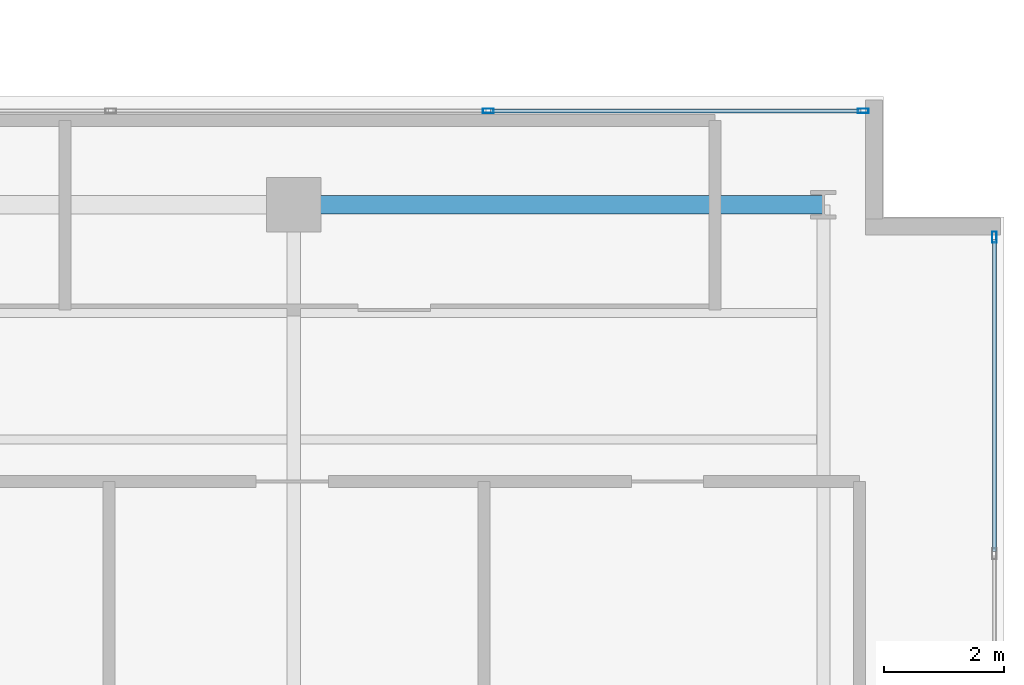
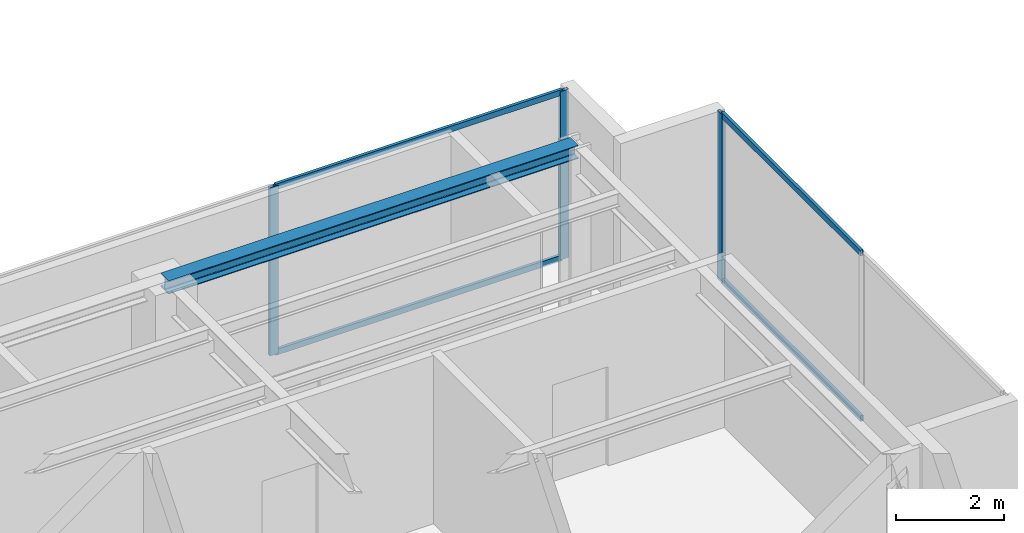
# One storey, part 15 of 24: 7 members, 1 beam, 2 elements without a shape of their own.
"""IFC4 building model written with IfcOpenShell, lengths in metres."""

from ifc_helpers import new_model, si_unit, direction, frame, origin, origin_with_axes, origin_2d, place, context, subcontext, project, spatial, hollow_rectangle, i_section, extrude, source, transform, mapped, material, layer, layer_set, material_profile, profile_set, type_object, element, aggregate, save


model = new_model("IFC4")

# Units and contexts
model_context = context("Model", 3, precision=1e-05, world=origin(), true_north=direction((0.0, 1.0)))
body_context = subcontext(model_context, "Body", "Model", "MODEL_VIEW")
ifc_project = project(units=[si_unit("LENGTHUNIT", "METRE"), si_unit("AREAUNIT", "SQUARE_METRE"), si_unit("VOLUMEUNIT", "CUBIC_METRE"), si_unit("PLANEANGLEUNIT", "RADIAN"), si_unit("MASSUNIT", "GRAM", prefix="KILO")], contexts=[model_context])

# Site, building, storey
site_placement = place(None, origin())
site = spatial("IfcSite", under=ifc_project, at=site_placement, CompositionType="ELEMENT")
building_placement = place(site_placement, origin())
building = spatial("IfcBuilding", under=site, at=building_placement, Name="Kolvaren Waterfront Exchange", CompositionType="ELEMENT")
storey_placement = place(building_placement, frame((0.0, 0.0, 356.199951171875)))
storey = spatial("IfcBuildingStorey", under=building, at=storey_placement, Name="L91", CompositionType="ELEMENT", Elevation=356.199951171875)

# Beam
ifc_material_1 = material(Name="Steel S355", Category="steel")
ifc_material_profile_1 = material_profile(ifc_material_1, i_section(OverallWidth=0.300048828125, OverallDepth=0.300048828125, WebThickness=0.010986328125, FlangeThickness=0.01904296875, FilletRadius=0.027099609375, at=origin_2d()), Name="HEB300")
ifc_profile_set_1 = profile_set([ifc_material_profile_1], Name="Steel S355")
beam_type = type_object("IfcBeamType", Name="STR-BM-HEB300", PredefinedType="SPANDREL", material=ifc_profile_set_1)
beam_placement = place(storey_placement, frame((36.800048828125, 17.39990234375, 3.670166015625), z_axis=(1.0, 0.0, 0.0), x_axis=(0.0, 1.0, 0.0)))
element("IfcBeam", 1, at=beam_placement, inside=storey, type_object=beam_type, Name="L91 east-arm spandrel N3", PredefinedType="SPANDREL", context=body_context, shape_type="SweptSolid", body=[
    extrude(i_section(OverallWidth=0.300048828125, OverallDepth=0.300048828125, WebThickness=0.010986328125, FlangeThickness=0.01904296875, FilletRadius=0.027099609375, at=origin_2d()), origin(), (0.0, 0.0, 1.0), 8.800048828125),
])

# Curtain wall, members
ifc_material_2 = material(Name="Anodised dark bronze spandrel aluminium", Category="aluminium")
ifc_layer = layer(ifc_material_2, 0.219970703125, Name="Anodised dark bronze spandrel aluminium")
ifc_layer_set = layer_set([ifc_layer], Name="Anodised dark bronze spandrel aluminium")
curtain_wall_type = type_object("IfcCurtainWallType", Name="ARC-CW-SYS6", PredefinedType="USERDEFINED", material=ifc_layer_set)
curtain_wall_1_placement = place(storey_placement, origin())
curtain_wall_1 = element("IfcCurtainWall", 2, at=curtain_wall_1_placement, inside=storey, type_object=curtain_wall_type, Name="L91 stick curtain wall CW6 (CW-L91-EN)", ObjectType="STICK CURTAIN WALL", PredefinedType="USERDEFINED")
ifc_material_3 = material(Name="Anodised bronze aluminium 6063-T6", Category="aluminium")
ifc_material_profile_2 = material_profile(ifc_material_3, hollow_rectangle(XDim=0.074951171875, YDim=0.179931640625, WallThickness=0.00439453125, at=origin_2d()), Name="ALU-MUL-180x75x4.5")
ifc_profile_set_2 = profile_set([ifc_material_profile_2], Name="Anodised bronze aluminium 6063-T6")
member_type_1 = type_object("IfcMemberType", Name="ARC-CWM-180", PredefinedType="MULLION", material=ifc_profile_set_2)
shared_shape_1 = source(origin_with_axes(), body_context, "Body", "SweptSolid", [
    extrude(hollow_rectangle(XDim=0.074951171875, YDim=0.179931640625, WallThickness=0.00439453125, at=origin_2d()), origin(), (0.0, 0.0, 1.0), 3.820068359375),
])
member_1_placement = place(storey_placement, frame((40.030029296875, 18.9599609375, 0.0), z_axis=(0.0, 0.0, 1.0), x_axis=(0.0, 1.0, 0.0)))
member_1 = element("IfcMember", 3, at=member_1_placement, type_object=member_type_1, Name="CW6 mullion 3", PredefinedType="MULLION", context=body_context, shape_type="MappedRepresentation", body=[
    mapped(shared_shape_1, transform((0.0, 0.0, 0.0), x_axis=(1.0, 0.0, 0.0), y_axis=(0.0, 1.0, 0.0), z_axis=(0.0, 0.0, 1.0), scale=1.0)),
])
member_2_placement = place(storey_placement, frame((46.262451171875, 18.9599609375, 0.0), z_axis=(0.0, 0.0, 1.0), x_axis=(0.0, 1.0, 0.0)))
member_2 = element("IfcMember", 4, at=member_2_placement, type_object=member_type_1, Name="CW6 mullion 4", PredefinedType="MULLION", context=body_context, shape_type="MappedRepresentation", body=[
    mapped(shared_shape_1, transform((0.0, 0.0, 0.0), x_axis=(1.0, 0.0, 0.0), y_axis=(0.0, 1.0, 0.0), z_axis=(0.0, 0.0, 1.0), scale=1.0)),
])

# Curtain wall, member
curtain_wall_2_placement = place(storey_placement, origin())
curtain_wall_2 = element("IfcCurtainWall", 5, at=curtain_wall_2_placement, inside=storey, type_object=curtain_wall_type, Name="L91 stick curtain wall CW6 (CW-L91-ET)", ObjectType="STICK CURTAIN WALL", PredefinedType="USERDEFINED")
member_3_placement = place(storey_placement, frame((48.43994140625, 16.862548828125, 0.0), z_axis=(0.0, 0.0, 1.0), x_axis=(-1.0, 0.0, 0.0)))
member_3 = element("IfcMember", 6, at=member_3_placement, type_object=member_type_1, Name="CW6 mullion 3", PredefinedType="MULLION", context=body_context, shape_type="MappedRepresentation", body=[
    mapped(shared_shape_1, transform((0.0, 0.0, 0.0), x_axis=(1.0, 0.0, 0.0), y_axis=(0.0, 1.0, 0.0), z_axis=(0.0, 0.0, 1.0), scale=1.0)),
])

# Member
ifc_material_profile_3 = material_profile(ifc_material_3, hollow_rectangle(XDim=0.06494140625, YDim=0.1298828125, WallThickness=0.00390625, at=origin_2d()), Name="ALU-TRN-130x65x4")
ifc_profile_set_3 = profile_set([ifc_material_profile_3], Name="Anodised bronze aluminium 6063-T6")
member_type_2 = type_object("IfcMemberType", Name="ARC-CWT-130", PredefinedType="USERDEFINED", material=ifc_profile_set_3)
shared_shape_2 = source(origin_with_axes(), body_context, "Body", "SweptSolid", [
    extrude(hollow_rectangle(XDim=0.06494140625, YDim=0.1298828125, WallThickness=0.00390625, at=origin_2d()), origin(), (0.0, 0.0, 1.0), 6.15771484375),
])
member_4_placement = place(storey_placement, frame((40.0673828125, 18.9599609375, 0.032470703125), z_axis=(1.0, 0.0, 0.0), x_axis=(0.0, 1.0, 0.0)))
member_4 = element("IfcMember", 7, at=member_4_placement, type_object=member_type_2, Name="CW6 transom 3.1", ObjectType="TRANSOM", PredefinedType="USERDEFINED", context=body_context, shape_type="MappedRepresentation", body=[
    mapped(shared_shape_2, transform((0.0, 0.0, 0.0), x_axis=(1.0, 0.0, 0.0), y_axis=(0.0, 1.0, 0.0), z_axis=(0.0, 0.0, 1.0), scale=1.0)),
])

member_5_placement = place(storey_placement, frame((40.0673828125, 18.9599609375, 3.78759765625), z_axis=(1.0, 0.0, 0.0), x_axis=(0.0, 1.0, 0.0)))
member_5 = element("IfcMember", 8, at=member_5_placement, type_object=member_type_2, Name="CW6 transom 3.2", ObjectType="TRANSOM", PredefinedType="USERDEFINED", context=body_context, shape_type="MappedRepresentation", body=[
    mapped(shared_shape_2, transform((0.0, 0.0, 0.0), x_axis=(1.0, 0.0, 0.0), y_axis=(0.0, 1.0, 0.0), z_axis=(0.0, 0.0, 1.0), scale=1.0)),
])

aggregate(curtain_wall_1, [member_1, member_2, member_4, member_5])

shared_shape_3 = source(origin_with_axes(), body_context, "Body", "SweptSolid", [
    extrude(hollow_rectangle(XDim=0.06494140625, YDim=0.1298828125, WallThickness=0.00390625, at=origin_2d()), origin(), (0.0, 0.0, 1.0), 5.1875),
])
member_6_placement = place(storey_placement, frame((48.43994140625, 11.637451171875, 0.032470703125), z_axis=(0.0, 1.0, 0.0), x_axis=(-1.0, 0.0, 0.0)))
member_6 = element("IfcMember", 9, at=member_6_placement, type_object=member_type_2, Name="CW6 transom 2.1", ObjectType="TRANSOM", PredefinedType="USERDEFINED", context=body_context, shape_type="MappedRepresentation", body=[
    mapped(shared_shape_3, transform((0.0, 0.0, 0.0), x_axis=(1.0, 0.0, 0.0), y_axis=(0.0, 1.0, 0.0), z_axis=(0.0, 0.0, 1.0), scale=1.0)),
])

member_7_placement = place(storey_placement, frame((48.43994140625, 11.637451171875, 3.78759765625), z_axis=(0.0, 1.0, 0.0), x_axis=(-1.0, 0.0, 0.0)))
member_7 = element("IfcMember", 10, at=member_7_placement, type_object=member_type_2, Name="CW6 transom 2.2", ObjectType="TRANSOM", PredefinedType="USERDEFINED", context=body_context, shape_type="MappedRepresentation", body=[
    mapped(shared_shape_3, transform((0.0, 0.0, 0.0), x_axis=(1.0, 0.0, 0.0), y_axis=(0.0, 1.0, 0.0), z_axis=(0.0, 0.0, 1.0), scale=1.0)),
])

aggregate(curtain_wall_2, [member_3, member_6, member_7])

save(model, "model.ifc")
